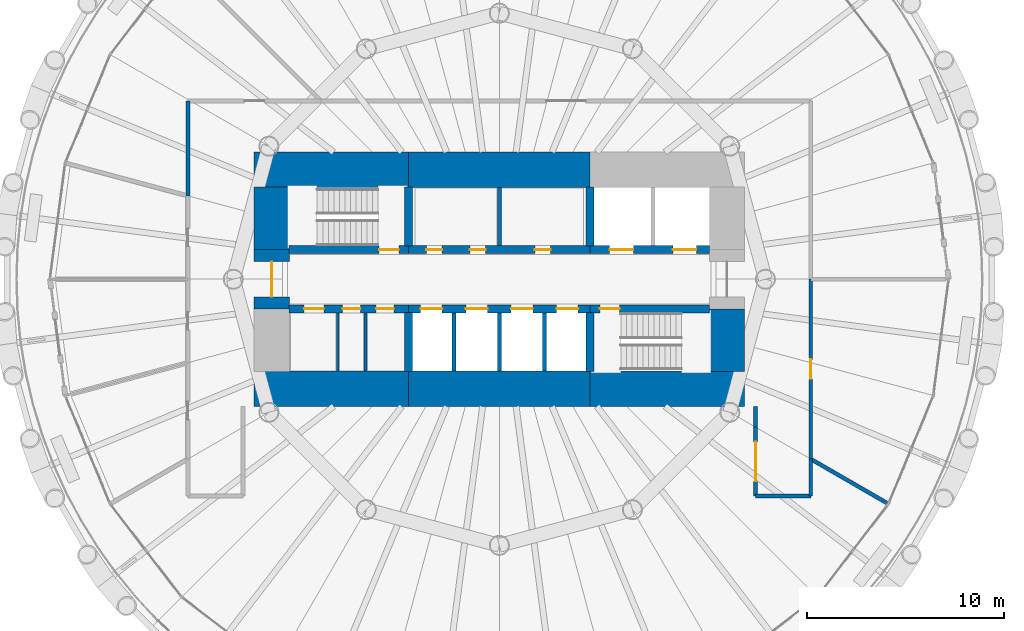
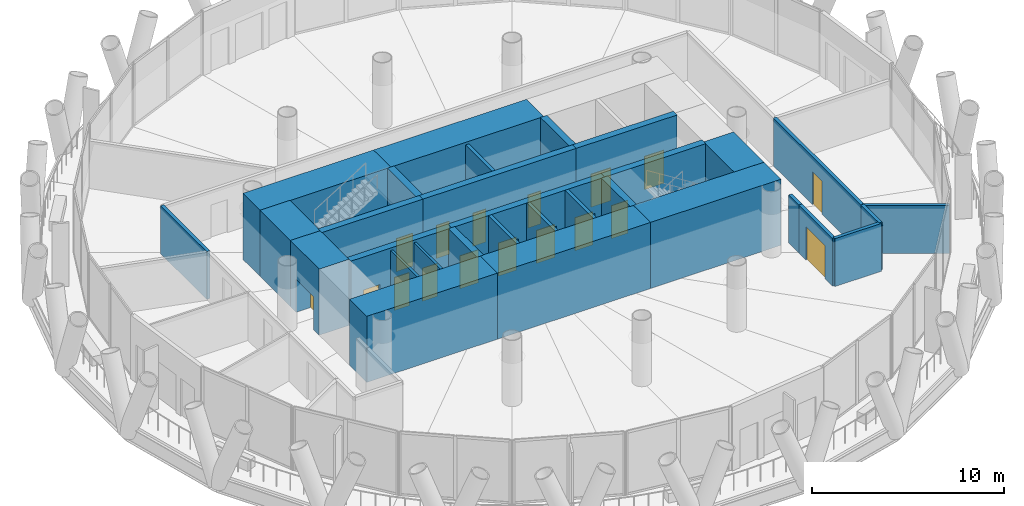
# One storey, part 9 of 14: 31 walls, 17 doors, 17 openings.
"""IFC4 building model written with IfcOpenShell, lengths in metres."""

from ifc_helpers import new_model, si_unit, direction, frame, frame_2d, origin, place, context, subcontext, project, spatial, rectangle, extrude, material, layer, layer_set, type_object, element, fill, save


model = new_model("IFC4")

# Units and contexts
model_context = context("Model", 3, precision=1e-05, world=origin(), true_north=direction((0.0, 1.0)))
body_context = subcontext(model_context, "Body", "Model", "MODEL_VIEW")
ifc_project = project(units=[si_unit("LENGTHUNIT", "METRE"), si_unit("AREAUNIT", "SQUARE_METRE"), si_unit("VOLUMEUNIT", "CUBIC_METRE"), si_unit("PLANEANGLEUNIT", "RADIAN"), si_unit("MASSUNIT", "GRAM", prefix="KILO")], contexts=[model_context])

# Site, building, storey
site_placement = place(None, origin())
site = spatial("IfcSite", under=ifc_project, at=site_placement, CompositionType="ELEMENT")
building_placement = place(site_placement, origin())
building = spatial("IfcBuilding", under=site, at=building_placement, Name="Qaws Media Tower", CompositionType="ELEMENT")
storey_placement = place(building_placement, frame((0.0, 0.0, 118.39990234375)))
storey = spatial("IfcBuildingStorey", under=building, at=storey_placement, Name="L26", CompositionType="ELEMENT", Elevation=118.39990234375)

# Wall, opening, door
ifc_material_1 = material(Name="Concrete C60/75", Category="concrete")
ifc_layer_1 = layer(ifc_material_1, 0.39990234375)
ifc_layer_set_1 = layer_set([ifc_layer_1], Name="Core inner wall 400")
wall_type_1 = type_object("IfcWallType", Name="Core inner wall 400", PredefinedType="SHEAR", material=ifc_layer_set_1)
wall_1_placement = place(storey_placement, frame((49.330078125, 51.5, 0.0), z_axis=(0.0, 0.0, 1.0), x_axis=(1.0, 0.0, 0.0)))
wall_1 = element("IfcWall", 1, at=wall_1_placement, inside=storey, type_object=wall_type_1, Name="W321 SW4 core wall SPNW L26", PredefinedType="SHEAR", context=body_context, shape_type="SweptSolid", body=[
    extrude(rectangle(XDim=6.06982421875, YDim=0.39990234375, at=frame_2d((3.034912109375, 0.0))), origin(), (0.0, 0.0, 1.0), 4.2001953125),
])
opening_1_placement = place(wall_1_placement, frame((4.570068359375, 0.0, 0.0)))
opening_1 = element("IfcOpeningElement", 2, at=opening_1_placement, cuts=wall_1, Name="Opening D1", PredefinedType="OPENING", context=body_context, shape_type="SweptSolid", body=[
    extrude(rectangle(XDim=1.0, YDim=2.10009765625, at=frame_2d((0.5, 1.050048828125))), frame((0.0, 0.2099609375, 0.0), z_axis=(0.0, -1.0, 0.0), x_axis=(1.0, 0.0, 0.0)), (0.0, 0.0, 1.0), 0.419921875),
])
ifc_material_2 = material(Name="Steel, fire rated", Category="steel")
door_type_1 = type_object("IfcDoorType", Name="Stair door 1000 FD120", OperationType="SINGLE_SWING_LEFT", PredefinedType="DOOR", material=ifc_material_2)
door_1_placement = place(opening_1_placement, origin())
door_1 = element("IfcDoor", 3, at=door_1_placement, inside=storey, type_object=door_type_1, Name="D1 stair S1 door L26 in wall W321", OperationType="SINGLE_SWING_LEFT", OverallHeight=2.10009765625, OverallWidth=1.0, PredefinedType="DOOR", context=body_context, shape_type="SweptSolid", body=[
    extrude(rectangle(XDim=1.0, YDim=2.10009765625, at=frame_2d((0.5, 1.050048828125))), frame((0.0, 0.02490234375, 0.0), z_axis=(0.0, -1.0, 0.0), x_axis=(1.0, 0.0, 0.0)), (0.0, 0.0, 1.0), 0.050048828125),
])
fill(opening_1, door_1)

# Wall, openings, doors
wall_2_placement = place(storey_placement, frame((55.39990234375, 51.5, 0.0), z_axis=(0.0, 0.0, 1.0), x_axis=(1.0, 0.0, 0.0)))
wall_2 = element("IfcWall", 4, at=wall_2_placement, inside=storey, type_object=wall_type_1, Name="W314 SW4 core wall SPN L26", PredefinedType="SHEAR", context=body_context, shape_type="SweptSolid", body=[
    extrude(rectangle(XDim=9.2001953125, YDim=0.39990234375, at=frame_2d((4.60009765625, 0.0))), origin(), (0.0, 0.0, 1.0), 4.2001953125),
])
opening_2_placement = place(wall_2_placement, frame((0.89990234375, 0.0, 0.0)))
opening_2 = element("IfcOpeningElement", 5, at=opening_2_placement, cuts=wall_2, Name="Opening D23", PredefinedType="OPENING", context=body_context, shape_type="SweptSolid", body=[
    extrude(rectangle(XDim=0.800048828125, YDim=2.10009765625, at=frame_2d((0.39990234375, 1.050048828125))), frame((0.0, 0.2099609375, 0.0), z_axis=(0.0, -1.0, 0.0), x_axis=(1.0, 0.0, 0.0)), (0.0, 0.0, 1.0), 0.419921875),
])
opening_3_placement = place(wall_2_placement, frame((3.10009765625, 0.0, 0.0)))
opening_3 = element("IfcOpeningElement", 6, at=opening_3_placement, cuts=wall_2, Name="Opening D23", PredefinedType="OPENING", context=body_context, shape_type="SweptSolid", body=[
    extrude(rectangle(XDim=0.800048828125, YDim=2.10009765625, at=frame_2d((0.39990234375, 1.050048828125))), frame((0.0, 0.2099609375, 0.0), z_axis=(0.0, -1.0, 0.0), x_axis=(1.0, 0.0, 0.0)), (0.0, 0.0, 1.0), 0.419921875),
])
opening_4_placement = place(wall_2_placement, frame((6.39990234375, 0.0, 0.0)))
opening_4 = element("IfcOpeningElement", 7, at=opening_4_placement, cuts=wall_2, Name="Opening D23", PredefinedType="OPENING", context=body_context, shape_type="SweptSolid", body=[
    extrude(rectangle(XDim=0.800048828125, YDim=2.10009765625, at=frame_2d((0.39990234375, 1.050048828125))), frame((0.0, 0.2099609375, 0.0), z_axis=(0.0, -1.0, 0.0), x_axis=(1.0, 0.0, 0.0)), (0.0, 0.0, 1.0), 0.419921875),
])
ifc_material_3 = material(Name="Steel, fire rated", Category="steel")
door_type_2 = type_object("IfcDoorType", Name="Core room door 800x2100", OperationType="SINGLE_SWING_LEFT", PredefinedType="DOOR", material=ifc_material_3)
door_2_placement = place(opening_2_placement, origin())
door_2 = element("IfcDoor", 8, at=door_2_placement, inside=storey, type_object=door_type_2, Name="D23 Ladies toilets door L26 1 in wall W314", OperationType="SINGLE_SWING_LEFT", OverallHeight=2.10009765625, OverallWidth=0.800048828125, PredefinedType="DOOR", context=body_context, shape_type="SweptSolid", body=[
    extrude(rectangle(XDim=0.800048828125, YDim=2.10009765625, at=frame_2d((0.39990234375, 1.050048828125))), frame((0.0, 0.02490234375, 0.0), z_axis=(0.0, -1.0, 0.0), x_axis=(1.0, 0.0, 0.0)), (0.0, 0.0, 1.0), 0.050048828125),
])
fill(opening_2, door_2)
door_3_placement = place(opening_3_placement, origin())
door_3 = element("IfcDoor", 9, at=door_3_placement, inside=storey, type_object=door_type_2, Name="D23 Ladies toilets door L26 2 in wall W314", OperationType="SINGLE_SWING_LEFT", OverallHeight=2.10009765625, OverallWidth=0.800048828125, PredefinedType="DOOR", context=body_context, shape_type="SweptSolid", body=[
    extrude(rectangle(XDim=0.800048828125, YDim=2.10009765625, at=frame_2d((0.39990234375, 1.050048828125))), frame((0.0, 0.02490234375, 0.0), z_axis=(0.0, -1.0, 0.0), x_axis=(1.0, 0.0, 0.0)), (0.0, 0.0, 1.0), 0.050048828125),
])
fill(opening_3, door_3)
door_4_placement = place(opening_4_placement, origin())
door_4 = element("IfcDoor", 10, at=door_4_placement, inside=storey, type_object=door_type_2, Name="D23 Gents toilets door L26 in wall W314", OperationType="SINGLE_SWING_LEFT", OverallHeight=2.10009765625, OverallWidth=0.800048828125, PredefinedType="DOOR", context=body_context, shape_type="SweptSolid", body=[
    extrude(rectangle(XDim=0.800048828125, YDim=2.10009765625, at=frame_2d((0.39990234375, 1.050048828125))), frame((0.0, 0.02490234375, 0.0), z_axis=(0.0, -1.0, 0.0), x_axis=(1.0, 0.0, 0.0)), (0.0, 0.0, 1.0), 0.050048828125),
])
fill(opening_4, door_4)

wall_3_placement = place(storey_placement, frame((64.60009765625, 51.5, 0.0), z_axis=(0.0, 0.0, 1.0), x_axis=(1.0, 0.0, 0.0)))
wall_3 = element("IfcWall", 11, at=wall_3_placement, inside=storey, type_object=wall_type_1, Name="W326 SW4 core wall SPNE L26", PredefinedType="SHEAR", context=body_context, shape_type="SweptSolid", body=[
    extrude(rectangle(XDim=6.06982421875, YDim=0.39990234375, at=frame_2d((3.034912109375, 0.0))), origin(), (0.0, 0.0, 1.0), 4.2001953125),
])
opening_5_placement = place(wall_3_placement, frame((1.0, 0.0, 0.0)))
opening_5 = element("IfcOpeningElement", 12, at=opening_5_placement, cuts=wall_3, Name="Opening LD2", PredefinedType="OPENING", context=body_context, shape_type="SweptSolid", body=[
    extrude(rectangle(XDim=1.199951171875, YDim=2.10009765625, at=frame_2d((0.60009765625, 1.050048828125))), frame((0.0, 0.2099609375, 0.0), z_axis=(0.0, -1.0, 0.0), x_axis=(1.0, 0.0, 0.0)), (0.0, 0.0, 1.0), 0.419921875),
])
opening_6_placement = place(wall_3_placement, frame((4.199951171875, 0.0, 0.0)))
opening_6 = element("IfcOpeningElement", 13, at=opening_6_placement, cuts=wall_3, Name="Opening LD2", PredefinedType="OPENING", context=body_context, shape_type="SweptSolid", body=[
    extrude(rectangle(XDim=1.199951171875, YDim=2.10009765625, at=frame_2d((0.60009765625, 1.050048828125))), frame((0.0, 0.2099609375, 0.0), z_axis=(0.0, -1.0, 0.0), x_axis=(1.0, 0.0, 0.0)), (0.0, 0.0, 1.0), 0.419921875),
])
ifc_material_4 = material(Name="Steel, fire rated", Category="steel")
door_type_3 = type_object("IfcDoorType", Name="Lift landing door 1200", OperationType="SLIDING_TO_LEFT", PredefinedType="DOOR", material=ifc_material_4)
door_5_placement = place(opening_5_placement, origin())
door_5 = element("IfcDoor", 14, at=door_5_placement, inside=storey, type_object=door_type_3, Name="FL1 landing door L26 in wall W326", OperationType="SLIDING_TO_LEFT", OverallHeight=2.10009765625, OverallWidth=1.199951171875, PredefinedType="DOOR", context=body_context, shape_type="SweptSolid", body=[
    extrude(rectangle(XDim=1.199951171875, YDim=2.10009765625, at=frame_2d((0.60009765625, 1.050048828125))), frame((0.0, 0.02490234375, 0.0), z_axis=(0.0, -1.0, 0.0), x_axis=(1.0, 0.0, 0.0)), (0.0, 0.0, 1.0), 0.050048828125),
])
fill(opening_5, door_5)
door_6_placement = place(opening_6_placement, origin())
door_6 = element("IfcDoor", 15, at=door_6_placement, inside=storey, type_object=door_type_3, Name="FL2 landing door L26 in wall W326", OperationType="SLIDING_TO_LEFT", OverallHeight=2.10009765625, OverallWidth=1.199951171875, PredefinedType="DOOR", context=body_context, shape_type="SweptSolid", body=[
    extrude(rectangle(XDim=1.199951171875, YDim=2.10009765625, at=frame_2d((0.60009765625, 1.050048828125))), frame((0.0, 0.02490234375, 0.0), z_axis=(0.0, -1.0, 0.0), x_axis=(1.0, 0.0, 0.0)), (0.0, 0.0, 1.0), 0.050048828125),
])
fill(opening_6, door_6)

wall_4_placement = place(storey_placement, frame((49.330078125, 48.5, 0.0), z_axis=(0.0, 0.0, 1.0), x_axis=(1.0, 0.0, 0.0)))
wall_4 = element("IfcWall", 16, at=wall_4_placement, inside=storey, type_object=wall_type_1, Name="W320 SW4 core wall SPSW L26", PredefinedType="SHEAR", context=body_context, shape_type="SweptSolid", body=[
    extrude(rectangle(XDim=6.06982421875, YDim=0.39990234375, at=frame_2d((3.034912109375, 0.0))), origin(), (0.0, 0.0, 1.0), 4.2001953125),
])
opening_7_placement = place(wall_4_placement, frame((0.77001953125, 0.0, 0.0)))
opening_7 = element("IfcOpeningElement", 17, at=opening_7_placement, cuts=wall_4, Name="Opening D4", PredefinedType="OPENING", context=body_context, shape_type="SweptSolid", body=[
    extrude(rectangle(XDim=1.0, YDim=2.10009765625, at=frame_2d((0.5, 1.050048828125))), frame((0.0, 0.2099609375, 0.0), z_axis=(0.0, -1.0, 0.0), x_axis=(1.0, 0.0, 0.0)), (0.0, 0.0, 1.0), 0.419921875),
])
opening_8_placement = place(wall_4_placement, frame((2.719970703125, 0.0, 0.0)))
opening_8 = element("IfcOpeningElement", 18, at=opening_8_placement, cuts=wall_4, Name="Opening D25", PredefinedType="OPENING", context=body_context, shape_type="SweptSolid", body=[
    extrude(rectangle(XDim=0.89990234375, YDim=2.10009765625, at=frame_2d((0.449951171875, 1.050048828125))), frame((0.0, 0.2099609375, 0.0), z_axis=(0.0, -1.0, 0.0), x_axis=(1.0, 0.0, 0.0)), (0.0, 0.0, 1.0), 0.419921875),
])
opening_9_placement = place(wall_4_placement, frame((4.419921875, 0.0, 0.0)))
opening_9 = element("IfcOpeningElement", 19, at=opening_9_placement, cuts=wall_4, Name="Opening D25", PredefinedType="OPENING", context=body_context, shape_type="SweptSolid", body=[
    extrude(rectangle(XDim=0.89990234375, YDim=2.10009765625, at=frame_2d((0.449951171875, 1.050048828125))), frame((0.0, 0.2099609375, 0.0), z_axis=(0.0, -1.0, 0.0), x_axis=(1.0, 0.0, 0.0)), (0.0, 0.0, 1.0), 0.419921875),
])
ifc_material_5 = material(Name="Timber veneered", Category="wood")
door_type_4 = type_object("IfcDoorType", Name="Accessible WC door 1000", OperationType="SLIDING_TO_LEFT", PredefinedType="DOOR", material=ifc_material_5)
door_7_placement = place(opening_7_placement, origin())
door_7 = element("IfcDoor", 20, at=door_7_placement, inside=storey, type_object=door_type_4, Name="D4 toilet door 1 L26 in wall W320", OperationType="SLIDING_TO_LEFT", OverallHeight=2.10009765625, OverallWidth=1.0, PredefinedType="DOOR", context=body_context, shape_type="SweptSolid", body=[
    extrude(rectangle(XDim=1.0, YDim=2.10009765625, at=frame_2d((0.5, 1.050048828125))), frame((0.0, 0.02490234375, 0.0), z_axis=(0.0, -1.0, 0.0), x_axis=(1.0, 0.0, 0.0)), (0.0, 0.0, 1.0), 0.050048828125),
])
fill(opening_7, door_7)
ifc_material_6 = material(Name="Steel, fire rated", Category="steel")
door_type_5 = type_object("IfcDoorType", Name="Core service door 900", OperationType="SINGLE_SWING_RIGHT", PredefinedType="DOOR", material=ifc_material_6)
door_8_placement = place(opening_8_placement, origin())
door_8 = element("IfcDoor", 21, at=door_8_placement, inside=storey, type_object=door_type_5, Name="D25 toilet door 2 L26 in wall W320", OperationType="SINGLE_SWING_RIGHT", OverallHeight=2.10009765625, OverallWidth=0.89990234375, PredefinedType="DOOR", context=body_context, shape_type="SweptSolid", body=[
    extrude(rectangle(XDim=0.89990234375, YDim=2.10009765625, at=frame_2d((0.449951171875, 1.050048828125))), frame((0.0, 0.02490234375, 0.0), z_axis=(0.0, -1.0, 0.0), x_axis=(1.0, 0.0, 0.0)), (0.0, 0.0, 1.0), 0.050048828125),
])
fill(opening_8, door_8)
door_9_placement = place(opening_9_placement, origin())
door_9 = element("IfcDoor", 22, at=door_9_placement, inside=storey, type_object=door_type_5, Name="D25 toilet door 3 L26 in wall W320", OperationType="SINGLE_SWING_RIGHT", OverallHeight=2.10009765625, OverallWidth=0.89990234375, PredefinedType="DOOR", context=body_context, shape_type="SweptSolid", body=[
    extrude(rectangle(XDim=0.89990234375, YDim=2.10009765625, at=frame_2d((0.449951171875, 1.050048828125))), frame((0.0, 0.02490234375, 0.0), z_axis=(0.0, -1.0, 0.0), x_axis=(1.0, 0.0, 0.0)), (0.0, 0.0, 1.0), 0.050048828125),
])
fill(opening_9, door_9)

wall_5_placement = place(storey_placement, frame((55.39990234375, 48.5, 0.0), z_axis=(0.0, 0.0, 1.0), x_axis=(1.0, 0.0, 0.0)))
wall_5 = element("IfcWall", 23, at=wall_5_placement, inside=storey, type_object=wall_type_1, Name="W313 SW4 core wall SPS L26", PredefinedType="SHEAR", context=body_context, shape_type="SweptSolid", body=[
    extrude(rectangle(XDim=9.2001953125, YDim=0.39990234375, at=frame_2d((4.60009765625, 0.0))), origin(), (0.0, 0.0, 1.0), 4.2001953125),
])
opening_10_placement = place(wall_5_placement, frame((0.60009765625, 0.0, 0.0)))
opening_10 = element("IfcOpeningElement", 24, at=opening_10_placement, cuts=wall_5, Name="Opening LD", PredefinedType="OPENING", context=body_context, shape_type="SweptSolid", body=[
    extrude(rectangle(XDim=1.10009765625, YDim=2.10009765625, at=frame_2d((0.550048828125, 1.050048828125))), frame((0.0, 0.2099609375, 0.0), z_axis=(0.0, -1.0, 0.0), x_axis=(1.0, 0.0, 0.0)), (0.0, 0.0, 1.0), 0.419921875),
])
opening_11_placement = place(wall_5_placement, frame((2.89990234375, 0.0, 0.0)))
opening_11 = element("IfcOpeningElement", 25, at=opening_11_placement, cuts=wall_5, Name="Opening LD", PredefinedType="OPENING", context=body_context, shape_type="SweptSolid", body=[
    extrude(rectangle(XDim=1.10009765625, YDim=2.10009765625, at=frame_2d((0.550048828125, 1.050048828125))), frame((0.0, 0.2099609375, 0.0), z_axis=(0.0, -1.0, 0.0), x_axis=(1.0, 0.0, 0.0)), (0.0, 0.0, 1.0), 0.419921875),
])
opening_12_placement = place(wall_5_placement, frame((5.199951171875, 0.0, 0.0)))
opening_12 = element("IfcOpeningElement", 26, at=opening_12_placement, cuts=wall_5, Name="Opening LD", PredefinedType="OPENING", context=body_context, shape_type="SweptSolid", body=[
    extrude(rectangle(XDim=1.10009765625, YDim=2.10009765625, at=frame_2d((0.550048828125, 1.050048828125))), frame((0.0, 0.2099609375, 0.0), z_axis=(0.0, -1.0, 0.0), x_axis=(1.0, 0.0, 0.0)), (0.0, 0.0, 1.0), 0.419921875),
])
opening_13_placement = place(wall_5_placement, frame((7.5, 0.0, 0.0)))
opening_13 = element("IfcOpeningElement", 27, at=opening_13_placement, cuts=wall_5, Name="Opening LD", PredefinedType="OPENING", context=body_context, shape_type="SweptSolid", body=[
    extrude(rectangle(XDim=1.10009765625, YDim=2.10009765625, at=frame_2d((0.550048828125, 1.050048828125))), frame((0.0, 0.2099609375, 0.0), z_axis=(0.0, -1.0, 0.0), x_axis=(1.0, 0.0, 0.0)), (0.0, 0.0, 1.0), 0.419921875),
])
ifc_material_7 = material(Name="Steel, fire rated", Category="steel")
door_type_6 = type_object("IfcDoorType", Name="Lift landing door 1100", OperationType="SLIDING_TO_LEFT", PredefinedType="DOOR", material=ifc_material_7)
door_10_placement = place(opening_10_placement, origin())
door_10 = element("IfcDoor", 28, at=door_10_placement, inside=storey, type_object=door_type_6, Name="P5 landing door L26 in wall W313", OperationType="SLIDING_TO_LEFT", OverallHeight=2.10009765625, OverallWidth=1.10009765625, PredefinedType="DOOR", context=body_context, shape_type="SweptSolid", body=[
    extrude(rectangle(XDim=1.10009765625, YDim=2.10009765625, at=frame_2d((0.550048828125, 1.050048828125))), frame((0.0, 0.02490234375, 0.0), z_axis=(0.0, -1.0, 0.0), x_axis=(1.0, 0.0, 0.0)), (0.0, 0.0, 1.0), 0.050048828125),
])
fill(opening_10, door_10)
door_11_placement = place(opening_11_placement, origin())
door_11 = element("IfcDoor", 29, at=door_11_placement, inside=storey, type_object=door_type_6, Name="P6 landing door L26 in wall W313", OperationType="SLIDING_TO_LEFT", OverallHeight=2.10009765625, OverallWidth=1.10009765625, PredefinedType="DOOR", context=body_context, shape_type="SweptSolid", body=[
    extrude(rectangle(XDim=1.10009765625, YDim=2.10009765625, at=frame_2d((0.550048828125, 1.050048828125))), frame((0.0, 0.02490234375, 0.0), z_axis=(0.0, -1.0, 0.0), x_axis=(1.0, 0.0, 0.0)), (0.0, 0.0, 1.0), 0.050048828125),
])
fill(opening_11, door_11)
door_12_placement = place(opening_12_placement, origin())
door_12 = element("IfcDoor", 30, at=door_12_placement, inside=storey, type_object=door_type_6, Name="P7 landing door L26 in wall W313", OperationType="SLIDING_TO_LEFT", OverallHeight=2.10009765625, OverallWidth=1.10009765625, PredefinedType="DOOR", context=body_context, shape_type="SweptSolid", body=[
    extrude(rectangle(XDim=1.10009765625, YDim=2.10009765625, at=frame_2d((0.550048828125, 1.050048828125))), frame((0.0, 0.02490234375, 0.0), z_axis=(0.0, -1.0, 0.0), x_axis=(1.0, 0.0, 0.0)), (0.0, 0.0, 1.0), 0.050048828125),
])
fill(opening_12, door_12)
door_13_placement = place(opening_13_placement, origin())
door_13 = element("IfcDoor", 31, at=door_13_placement, inside=storey, type_object=door_type_6, Name="P8 landing door L26 in wall W313", OperationType="SLIDING_TO_LEFT", OverallHeight=2.10009765625, OverallWidth=1.10009765625, PredefinedType="DOOR", context=body_context, shape_type="SweptSolid", body=[
    extrude(rectangle(XDim=1.10009765625, YDim=2.10009765625, at=frame_2d((0.550048828125, 1.050048828125))), frame((0.0, 0.02490234375, 0.0), z_axis=(0.0, -1.0, 0.0), x_axis=(1.0, 0.0, 0.0)), (0.0, 0.0, 1.0), 0.050048828125),
])
fill(opening_13, door_13)

# Wall, opening, door
wall_6_placement = place(storey_placement, frame((64.60009765625, 48.5, 0.0), z_axis=(0.0, 0.0, 1.0), x_axis=(1.0, 0.0, 0.0)))
wall_6 = element("IfcWall", 32, at=wall_6_placement, inside=storey, type_object=wall_type_1, Name="W325 SW4 core wall SPSE L26", PredefinedType="SHEAR", context=body_context, shape_type="SweptSolid", body=[
    extrude(rectangle(XDim=6.06982421875, YDim=0.39990234375, at=frame_2d((3.034912109375, 0.0))), origin(), (0.0, 0.0, 1.0), 4.2001953125),
])
opening_14_placement = place(wall_6_placement, frame((0.5, 0.0, 0.0)))
opening_14 = element("IfcOpeningElement", 33, at=opening_14_placement, cuts=wall_6, Name="Opening D1", PredefinedType="OPENING", context=body_context, shape_type="SweptSolid", body=[
    extrude(rectangle(XDim=1.0, YDim=2.10009765625, at=frame_2d((0.5, 1.050048828125))), frame((0.0, 0.2099609375, 0.0), z_axis=(0.0, -1.0, 0.0), x_axis=(1.0, 0.0, 0.0)), (0.0, 0.0, 1.0), 0.419921875),
])
door_14_placement = place(opening_14_placement, origin())
door_14 = element("IfcDoor", 34, at=door_14_placement, inside=storey, type_object=door_type_1, Name="D1 stair S2 door L26 in wall W325", OperationType="SINGLE_SWING_LEFT", OverallHeight=2.10009765625, OverallWidth=1.0, PredefinedType="DOOR", context=body_context, shape_type="SweptSolid", body=[
    extrude(rectangle(XDim=1.0, YDim=2.10009765625, at=frame_2d((0.5, 1.050048828125))), frame((0.0, 0.02490234375, 0.0), z_axis=(0.0, -1.0, 0.0), x_axis=(1.0, 0.0, 0.0)), (0.0, 0.0, 1.0), 0.050048828125),
])
fill(opening_14, door_14)

# Walls
for number, where, z_axis, x_axis, name in (
    (35, (55.39990234375, 51.679931640625, 0.0), (0.0, 0.0, 1.0), (0.0, 1.0, 0.0), "W323 SW4 core wall XNW L26"),
    (36, (64.60009765625, 51.679931640625, 0.0), (0.0, 0.0, 1.0), (0.0, 1.0, 0.0), "W327 SW4 core wall XNE L26"),
    (37, (55.39990234375, 48.320068359375, 0.0), (0.0, 0.0, 1.0), (0.0, -1.0, 0.0), "W322 SW4 core wall XSW L26"),
    (38, (64.60009765625, 48.320068359375, 0.0), (0.0, 0.0, 1.0), (0.0, -1.0, 0.0), "W324 SW4 core wall XSE L26"),
):
    element("IfcWall", number, at=place(storey_placement, frame(where, z_axis=z_axis, x_axis=x_axis)), inside=storey, type_object=wall_type_1, Name=name, PredefinedType="SHEAR", context=body_context, shape_type="SweptSolid", body=[
        extrude(rectangle(XDim=2.989990234375, YDim=0.39990234375, at=frame_2d((1.4951171875, 0.0))), origin(), (0.0, 0.0, 1.0), 4.2001953125),
    ])
ifc_material_8 = material(Name="Concrete C60/75", Category="concrete")
ifc_layer_2 = layer(ifc_material_8, 1.800048828125)
ifc_layer_set_2 = layer_set([ifc_layer_2], Name="Core wall 1800")
wall_type_2 = type_object("IfcWallType", Name="Core wall 1800", PredefinedType="SHEAR", material=ifc_layer_set_2)
wall_7_placement = place(storey_placement, frame((47.550048828125, 55.550048828125, 0.0), z_axis=(0.0, 0.0, 1.0), x_axis=(1.0, 0.0, 0.0)))
element("IfcWall", 39, at=wall_7_placement, inside=storey, type_object=wall_type_2, Name="W417 SW11 core wall NW L26", PredefinedType="SHEAR", context=body_context, shape_type="SweptSolid", body=[
    extrude(rectangle(XDim=7.849853515625, YDim=1.800048828125, at=frame_2d((3.9248046875, 0.0))), origin(), (0.0, 0.0, 1.0), 4.2001953125),
])
wall_8_placement = place(storey_placement, frame((55.39990234375, 55.550048828125, 0.0), z_axis=(0.0, 0.0, 1.0), x_axis=(1.0, 0.0, 0.0)))
element("IfcWall", 40, at=wall_8_placement, inside=storey, type_object=wall_type_2, Name="W421 SW11 core wall N L26", PredefinedType="SHEAR", context=body_context, shape_type="SweptSolid", body=[
    extrude(rectangle(XDim=9.2001953125, YDim=1.800048828125, at=frame_2d((4.60009765625, 0.0))), origin(), (0.0, 0.0, 1.0), 4.2001953125),
])
wall_9_placement = place(storey_placement, frame((47.550048828125, 44.449951171875, 0.0), z_axis=(0.0, 0.0, 1.0), x_axis=(1.0, 0.0, 0.0)))
element("IfcWall", 41, at=wall_9_placement, inside=storey, type_object=wall_type_2, Name="W416 SW11 core wall SW L26", PredefinedType="SHEAR", context=body_context, shape_type="SweptSolid", body=[
    extrude(rectangle(XDim=7.849853515625, YDim=1.800048828125, at=frame_2d((3.9248046875, 0.0))), origin(), (0.0, 0.0, 1.0), 4.2001953125),
])
wall_10_placement = place(storey_placement, frame((55.39990234375, 44.449951171875, 0.0), z_axis=(0.0, 0.0, 1.0), x_axis=(1.0, 0.0, 0.0)))
element("IfcWall", 42, at=wall_10_placement, inside=storey, type_object=wall_type_2, Name="W420 SW11 core wall S L26", PredefinedType="SHEAR", context=body_context, shape_type="SweptSolid", body=[
    extrude(rectangle(XDim=9.2001953125, YDim=1.800048828125, at=frame_2d((4.60009765625, 0.0))), origin(), (0.0, 0.0, 1.0), 4.2001953125),
])
wall_11_placement = place(storey_placement, frame((64.60009765625, 44.449951171875, 0.0), z_axis=(0.0, 0.0, 1.0), x_axis=(1.0, 0.0, 0.0)))
element("IfcWall", 43, at=wall_11_placement, inside=storey, type_object=wall_type_2, Name="W422 SW11 core wall SE L26", PredefinedType="SHEAR", context=body_context, shape_type="SweptSolid", body=[
    extrude(rectangle(XDim=7.849853515625, YDim=1.800048828125, at=frame_2d((3.9248046875, 0.0))), origin(), (0.0, 0.0, 1.0), 4.2001953125),
])
wall_12_placement = place(storey_placement, frame((71.550048828125, 45.330078125, 0.0), z_axis=(0.0, 0.0, 1.0), x_axis=(0.0, 1.0, 0.0)))
element("IfcWall", 44, at=wall_12_placement, inside=storey, type_object=wall_type_2, Name="W424 SW11 core wall ES L26", PredefinedType="SHEAR", context=body_context, shape_type="SweptSolid", body=[
    extrude(rectangle(XDim=3.169921875, YDim=1.800048828125, at=frame_2d((1.5849609375, 0.0))), origin(), (0.0, 0.0, 1.0), 4.2001953125),
])

# Wall, opening, door
wall_13_placement = place(storey_placement, frame((48.449951171875, 48.5, 0.0), z_axis=(0.0, 0.0, 1.0), x_axis=(0.0, 1.0, 0.0)))
wall_13 = element("IfcWall", 45, at=wall_13_placement, inside=storey, type_object=wall_type_2, Name="W426 SW11 core wall W L26", PredefinedType="SHEAR", context=body_context, shape_type="SweptSolid", body=[
    extrude(rectangle(XDim=3.0, YDim=1.800048828125, at=frame_2d((1.5, 0.0))), origin(), (0.0, 0.0, 1.0), 4.2001953125),
])
opening_15_placement = place(wall_13_placement, frame((0.60009765625, 0.0, 0.0)))
opening_15 = element("IfcOpeningElement", 46, at=opening_15_placement, cuts=wall_13, Name="Opening D2", PredefinedType="OPENING", context=body_context, shape_type="SweptSolid", body=[
    extrude(rectangle(XDim=1.800048828125, YDim=2.10009765625, at=frame_2d((0.89990234375, 1.050048828125))), frame((0.0, 0.909912109375, 0.0), z_axis=(0.0, -1.0, 0.0), x_axis=(1.0, 0.0, 0.0)), (0.0, 0.0, 1.0), 1.820068359375),
])
ifc_material_9 = material(Name="Steel and glass, fire rated", Category="steel")
door_type_7 = type_object("IfcDoorType", Name="Lobby door pair 1800 FD60", OperationType="DOUBLE_DOOR_DOUBLE_SWING", PredefinedType="DOOR", material=ifc_material_9)
door_15_placement = place(opening_15_placement, origin())
door_15 = element("IfcDoor", 47, at=door_15_placement, inside=storey, type_object=door_type_7, Name="D2 core lobby door W L26 in wall W426", OperationType="DOUBLE_DOOR_DOUBLE_SWING", OverallHeight=2.10009765625, OverallWidth=1.800048828125, PredefinedType="DOOR", context=body_context, shape_type="SweptSolid", body=[
    extrude(rectangle(XDim=1.800048828125, YDim=2.10009765625, at=frame_2d((0.89990234375, 1.050048828125))), frame((0.0, 0.02490234375, 0.0), z_axis=(0.0, -1.0, 0.0), x_axis=(1.0, 0.0, 0.0)), (0.0, 0.0, 1.0), 0.050048828125),
])
fill(opening_15, door_15)

# Wall
wall_14_placement = place(storey_placement, frame((48.449951171875, 51.5, 0.0), z_axis=(0.0, 0.0, 1.0), x_axis=(0.0, 1.0, 0.0)))
element("IfcWall", 48, at=wall_14_placement, inside=storey, type_object=wall_type_2, Name="W419 SW11 core wall WN L26", PredefinedType="SHEAR", context=body_context, shape_type="SweptSolid", body=[
    extrude(rectangle(XDim=3.169921875, YDim=1.800048828125, at=frame_2d((1.5849609375, 0.0))), origin(), (0.0, 0.0, 1.0), 4.2001953125),
])

# Wall, opening, door
ifc_material_10 = material(Name="Gypsum board on galvanised metal studs, acoustic double stud, deflection head", Category="gypsum")
ifc_layer_3 = layer(ifc_material_10, 0.199951171875)
ifc_layer_set_3 = layer_set([ifc_layer_3], Name="Room partition 200")
wall_type_3 = type_object("IfcWallType", Name="Room partition 200", PredefinedType="PARTITIONING", material=ifc_layer_set_3)
wall_15_placement = place(storey_placement, frame((75.800048828125, 50.0, 0.0), z_axis=(0.0, 0.0, 1.0), x_axis=(0.0, -1.0, 0.0)))
wall_15 = element("IfcWall", 49, at=wall_15_placement, inside=storey, type_object=wall_type_3, Name="W1233 IW3 partition L26", PredefinedType="PARTITIONING", context=body_context, shape_type="SweptSolid", body=[
    extrude(rectangle(XDim=9.1220703125, YDim=0.199951171875, at=frame_2d((4.56103515625, 0.0))), origin(), (0.0, 0.0, 1.0), 3.0400390625),
])
opening_16_placement = place(wall_15_placement, frame((4.06103515625, 0.0, 0.0)))
opening_16 = element("IfcOpeningElement", 50, at=opening_16_placement, cuts=wall_15, Name="Opening D5", PredefinedType="OPENING", context=body_context, shape_type="SweptSolid", body=[
    extrude(rectangle(XDim=1.0, YDim=2.10009765625, at=frame_2d((0.5, 1.050048828125))), frame((0.0, 0.10986328125, 0.0), z_axis=(0.0, -1.0, 0.0), x_axis=(1.0, 0.0, 0.0)), (0.0, 0.0, 1.0), 0.219970703125),
])
ifc_material_11 = material(Name="Timber veneered, acoustic seal", Category="wood")
door_type_8 = type_object("IfcDoorType", Name="Room door 1000", OperationType="SINGLE_SWING_LEFT", PredefinedType="DOOR", material=ifc_material_11)
door_16_placement = place(opening_16_placement, origin())
door_16 = element("IfcDoor", 51, at=door_16_placement, inside=storey, type_object=door_type_8, Name="D5 Sales office door L26 in wall W1233", OperationType="SINGLE_SWING_LEFT", OverallHeight=2.10009765625, OverallWidth=1.0, PredefinedType="DOOR", context=body_context, shape_type="SweptSolid", body=[
    extrude(rectangle(XDim=1.0, YDim=2.10009765625, at=frame_2d((0.5, 1.050048828125))), frame((0.0, 0.02490234375, 0.0), z_axis=(0.0, -1.0, 0.0), x_axis=(1.0, 0.0, 0.0)), (0.0, 0.0, 1.0), 0.050048828125),
])
fill(opening_16, door_16)

# Walls
wall_16_placement = place(storey_placement, frame((75.800048828125, 40.8779296875, 0.0), z_axis=(0.0, 0.0, 1.0), x_axis=(0.0, -1.0, 0.0)))
element("IfcWall", 52, at=wall_16_placement, inside=storey, type_object=wall_type_3, Name="W1232 IW3 partition L26", PredefinedType="PARTITIONING", context=body_context, shape_type="SweptSolid", body=[
    extrude(rectangle(XDim=1.8779296875, YDim=0.199951171875, at=frame_2d((0.93896484375, 0.0))), origin(), (0.0, 0.0, 1.0), 3.0400390625),
])
wall_17_placement = place(storey_placement, frame((75.800048828125, 39.0, 0.0), z_axis=(0.0, 0.0, 1.0), x_axis=(-1.0, 0.0, 0.0)))
element("IfcWall", 53, at=wall_17_placement, inside=storey, type_object=wall_type_3, Name="W1231 IW3 partition L26", PredefinedType="PARTITIONING", context=body_context, shape_type="SweptSolid", body=[
    extrude(rectangle(XDim=2.800048828125, YDim=0.199951171875, at=frame_2d((1.39990234375, 0.0))), origin(), (0.0, 0.0, 1.0), 3.0400390625),
])

# Wall, opening, door
wall_18_placement = place(storey_placement, frame((73.0, 39.0, 0.0), z_axis=(0.0, 0.0, 1.0), x_axis=(0.0, 1.0, 0.0)))
wall_18 = element("IfcWall", 54, at=wall_18_placement, inside=storey, type_object=wall_type_3, Name="W1228 IW3 partition L26", PredefinedType="PARTITIONING", context=body_context, shape_type="SweptSolid", body=[
    extrude(rectangle(XDim=3.494384765625, YDim=0.199951171875, at=frame_2d((1.7470703125, 0.0))), origin(), (0.0, 0.0, 1.0), 3.0400390625),
])
opening_17_placement = place(wall_18_placement, frame((0.747314453125, 0.0, 0.0)))
opening_17 = element("IfcOpeningElement", 55, at=opening_17_placement, cuts=wall_18, Name="Opening D6", PredefinedType="OPENING", context=body_context, shape_type="SweptSolid", body=[
    extrude(rectangle(XDim=2.0, YDim=2.10009765625, at=frame_2d((1.0, 1.050048828125))), frame((0.0, 0.10986328125, 0.0), z_axis=(0.0, -1.0, 0.0), x_axis=(1.0, 0.0, 0.0)), (0.0, 0.0, 1.0), 0.219970703125),
])
ifc_material_12 = material(Name="Steel, acoustic, fire rated", Category="steel")
door_type_9 = type_object("IfcDoorType", Name="Room door pair 2000", OperationType="DOUBLE_DOOR_DOUBLE_SWING", PredefinedType="DOOR", material=ifc_material_12)
door_17_placement = place(opening_17_placement, origin())
door_17 = element("IfcDoor", 56, at=door_17_placement, inside=storey, type_object=door_type_9, Name="D6 Sales office door L26 in wall W1228", OperationType="DOUBLE_DOOR_DOUBLE_SWING", OverallHeight=2.10009765625, OverallWidth=2.0, PredefinedType="DOOR", context=body_context, shape_type="SweptSolid", body=[
    extrude(rectangle(XDim=2.0, YDim=2.10009765625, at=frame_2d((1.0, 1.050048828125))), frame((0.0, 0.02490234375, 0.0), z_axis=(0.0, -1.0, 0.0), x_axis=(1.0, 0.0, 0.0)), (0.0, 0.0, 1.0), 0.050048828125),
])
fill(opening_17, door_17)

# Walls
wall_19_placement = place(storey_placement, frame((73.0, 42.494384765625, 0.0), z_axis=(0.0, 0.0, 1.0), x_axis=(0.0, 1.0, 0.0)))
element("IfcWall", 57, at=wall_19_placement, inside=storey, type_object=wall_type_3, Name="W1229 IW3 partition L26", PredefinedType="PARTITIONING", context=body_context, shape_type="SweptSolid", body=[
    extrude(rectangle(XDim=1.0556640625, YDim=0.199951171875, at=frame_2d((0.52783203125, 0.0))), origin(), (0.0, 0.0, 1.0), 3.0400390625),
])
wall_20_placement = place(storey_placement, frame((44.199951171875, 54.233642578125, 0.0), z_axis=(0.0, 0.0, 1.0), x_axis=(0.0, 1.0, 0.0)))
element("IfcWall", 58, at=wall_20_placement, inside=storey, type_object=wall_type_3, Name="W1219 IW3 partition L26", PredefinedType="PARTITIONING", context=body_context, shape_type="SweptSolid", body=[
    extrude(rectangle(XDim=4.81640625, YDim=0.199951171875, at=frame_2d((2.408203125, 0.0))), origin(), (0.0, 0.0, 1.0), 3.0400390625),
])
wall_21_placement = place(storey_placement, frame((75.79638671875, 40.8798828125, 0.0), z_axis=(0.0, 0.0, 1.0), x_axis=(0.866040767256, -0.499973388743, 0.0)))
element("IfcWall", 59, at=wall_21_placement, inside=storey, type_object=wall_type_3, Name="W1243 IW3 partition L26", PredefinedType="PARTITIONING", context=body_context, shape_type="SweptSolid", body=[
    extrude(rectangle(XDim=4.519775390625, YDim=0.199951171875, at=frame_2d((2.259765625, 0.0))), origin(), (0.0, 0.0, 1.0), 3.0400390625),
])
wall_22_placement = place(storey_placement, frame((60.0, 51.699951171875, 0.0), z_axis=(0.0, 0.0, 1.0), x_axis=(0.0, 1.0, 0.0)))
element("IfcWall", 60, at=wall_22_placement, inside=storey, type_object=wall_type_3, Name="W1227 IW3 core room partition 1 L26", PredefinedType="PARTITIONING", context=body_context, shape_type="SweptSolid", body=[
    extrude(rectangle(XDim=2.949951171875, YDim=0.199951171875, at=frame_2d((1.47509765625, 0.0))), origin(), (0.0, 0.0, 1.0), 4.0400390625),
])
ifc_material_13 = material(Name="Fire-rated gypsum board shaft wall on galvanised metal studs, deflection head", Category="gypsum")
ifc_layer_4 = layer(ifc_material_13, 0.199951171875)
ifc_layer_set_4 = layer_set([ifc_layer_4], Name="Shaft wall 200")
wall_type_4 = type_object("IfcWallType", Name="Shaft wall 200", PredefinedType="PARTITIONING", material=ifc_layer_set_4)
for number, where, z_axis, x_axis, name in (
    (61, (57.699951171875, 45.35009765625, 0.0), (0.0, 0.0, 1.0), (0.0, 1.0, 0.0), "W1860 IW1 shaft wall S1 L26"),
    (62, (60.0, 45.35009765625, 0.0), (0.0, 0.0, 1.0), (0.0, 1.0, 0.0), "W1861 IW1 shaft wall S2 L26"),
    (63, (62.300048828125, 45.35009765625, 0.0), (0.0, 0.0, 1.0), (0.0, 1.0, 0.0), "W1862 IW1 shaft wall S3 L26"),
):
    element("IfcWall", number, at=place(storey_placement, frame(where, z_axis=z_axis, x_axis=x_axis)), inside=storey, type_object=wall_type_4, Name=name, PredefinedType="PARTITIONING", context=body_context, shape_type="SweptSolid", body=[
        extrude(rectangle(XDim=2.949951171875, YDim=0.199951171875, at=frame_2d((1.47509765625, 0.0))), origin(), (0.0, 0.0, 1.0), 4.2001953125),
    ])
ifc_material_14 = material(Name="Gypsum board on galvanised metal studs, deflection head", Category="gypsum")
ifc_layer_5 = layer(ifc_material_14, 0.14990234375)
ifc_layer_set_5 = layer_set([ifc_layer_5], Name="WC partition 150")
wall_type_5 = type_object("IfcWallType", Name="WC partition 150", PredefinedType="PARTITIONING", material=ifc_layer_set_5)
for number, where, z_axis, x_axis, name in (
    (64, (51.800048828125, 45.35009765625, 0.0), (0.0, 0.0, 1.0), (0.0, 1.0, 0.0), "W1912 IW2 toilet partition 1 L26"),
    (65, (53.199951171875, 45.35009765625, 0.0), (0.0, 0.0, 1.0), (0.0, 1.0, 0.0), "W1913 IW2 toilet partition 2 L26"),
):
    element("IfcWall", number, at=place(storey_placement, frame(where, z_axis=z_axis, x_axis=x_axis)), inside=storey, type_object=wall_type_5, Name=name, PredefinedType="PARTITIONING", context=body_context, shape_type="SweptSolid", body=[
        extrude(rectangle(XDim=2.949951171875, YDim=0.14990234375, at=frame_2d((1.47509765625, 0.0))), origin(), (0.0, 0.0, 1.0), 4.0400390625),
    ])

save(model, "model.ifc")
